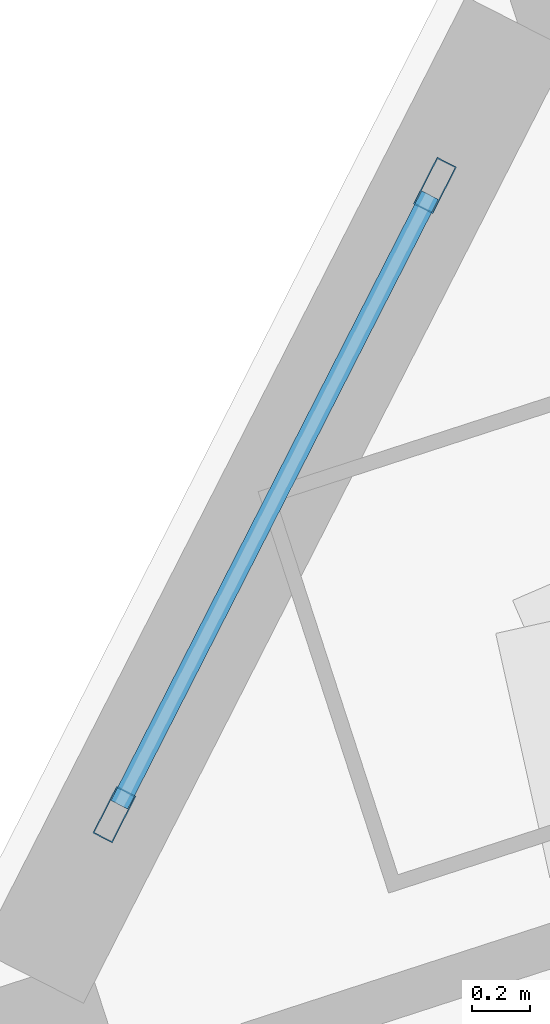
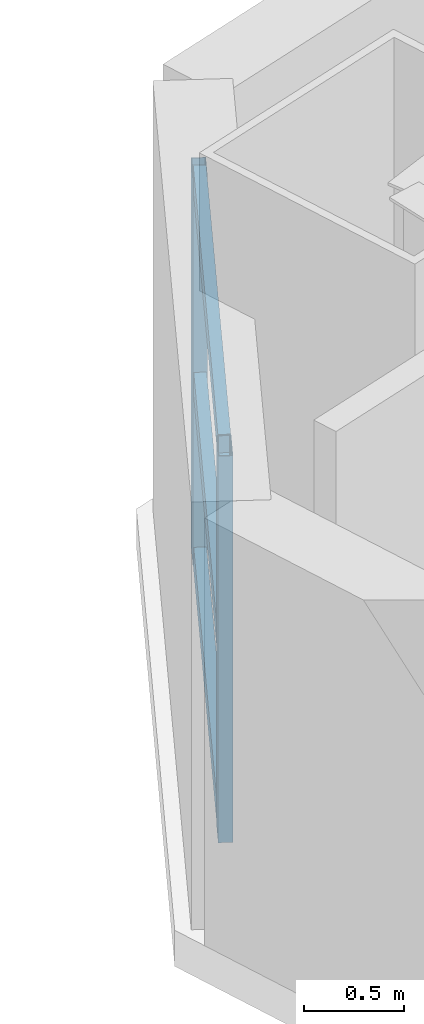
# One storey, part 7 of 24: 5 members, 1 element without a shape of its own.
"""IFC4 building model written with IfcOpenShell, lengths in metres."""

from ifc_helpers import new_model, si_unit, direction, frame, origin, origin_2d, place, context, subcontext, project, spatial, hollow_rectangle, extrude, material, layer, layer_set, material_profile, profile_set, type_object, element, aggregate, save


model = new_model("IFC4")

# Units and contexts
model_context = context("Model", 3, precision=1e-05, world=origin(), true_north=direction((0.0, 1.0)))
body_context = subcontext(model_context, "Body", "Model", "MODEL_VIEW")
ifc_project = project(units=[si_unit("LENGTHUNIT", "METRE"), si_unit("AREAUNIT", "SQUARE_METRE"), si_unit("VOLUMEUNIT", "CUBIC_METRE"), si_unit("PLANEANGLEUNIT", "RADIAN"), si_unit("MASSUNIT", "GRAM", prefix="KILO")], contexts=[model_context])

# Site, building, storey
site_placement = place(None, origin())
site = spatial("IfcSite", under=ifc_project, at=site_placement, CompositionType="ELEMENT")
building_placement = place(site_placement, origin())
building = spatial("IfcBuilding", under=site, at=building_placement, Name="Qiaolan Cultural Towers", CompositionType="ELEMENT")
storey_placement = place(building_placement, frame((0.0, 0.0, 120.75)))
storey = spatial("IfcBuildingStorey", under=building, at=storey_placement, Name="L31", CompositionType="ELEMENT", Elevation=120.75)

# Curtain wall, members
ifc_material_1 = material(Name="Unitized Anodized Aluminium Curtain Wall System", Category="aluminium")
ifc_layer = layer(ifc_material_1, 0.199951171875)
ifc_layer_set = layer_set([ifc_layer], Name="Unitized Anodized Aluminium Curtain Wall System")
curtain_wall_type = type_object("IfcCurtainWallType", Name="CWS-03", PredefinedType="NOTDEFINED", material=ifc_layer_set)
curtain_wall_placement = place(storey_placement, origin())
curtain_wall = element("IfcCurtainWall", 1, at=curtain_wall_placement, inside=storey, type_object=curtain_wall_type, Name="L31 T2 Chamfer Wind-Corner Feature Curtain Wall 1", PredefinedType="NOTDEFINED")
ifc_material_2 = material(Name="Extruded Aluminium 6063-T6", Category="aluminium")
ifc_material_profile_1 = material_profile(ifc_material_2, hollow_rectangle(XDim=0.074951171875, YDim=0.179931640625, WallThickness=0.00390625, at=origin_2d()), Name="CWM-180x75x4")
ifc_profile_set_1 = profile_set([ifc_material_profile_1], Name="Extruded Aluminium 6063-T6")
member_type_1 = type_object("IfcMemberType", Name="CWS-03-MUL", PredefinedType="MULLION", material=ifc_profile_set_1)
member_1_placement = place(storey_placement, frame((66.66162109375, 51.276123046875, 0.14990234375), z_axis=(0.0, 0.0, 1.0), x_axis=(-0.891006262447, 0.453991013436, 0.0)))
member_1 = element("IfcMember", 2, at=member_1_placement, type_object=member_type_1, Name="CW-3 mullion 1", PredefinedType="MULLION", context=body_context, shape_type="SweptSolid", body=[
    extrude(hollow_rectangle(XDim=0.074951171875, YDim=0.179931640625, WallThickness=0.00390625, at=origin_2d()), origin(), (0.0, 0.0, 1.0), 2.360107421875),
])
member_2_placement = place(storey_placement, frame((67.7626953125, 53.43701171875, 0.14990234375), z_axis=(0.0, 0.0, 1.0), x_axis=(-0.891006262447, 0.453991013436, 0.0)))
member_2 = element("IfcMember", 3, at=member_2_placement, type_object=member_type_1, Name="CW-3 mullion 2", PredefinedType="MULLION", context=body_context, shape_type="SweptSolid", body=[
    extrude(hollow_rectangle(XDim=0.074951171875, YDim=0.179931640625, WallThickness=0.00390625, at=origin_2d()), origin(), (0.0, 0.0, 1.0), 2.360107421875),
])
ifc_material_3 = material(Name="Extruded Aluminium 6063-T6", Category="aluminium")
ifc_material_profile_2 = material_profile(ifc_material_3, hollow_rectangle(XDim=0.06494140625, YDim=0.14990234375, WallThickness=0.00390625, at=origin_2d()), Name="CWT-150x65x4")
ifc_profile_set_2 = profile_set([ifc_material_profile_2], Name="Extruded Aluminium 6063-T6")
member_type_2 = type_object("IfcMemberType", Name="CWS-03-TRN", PredefinedType="USERDEFINED", material=ifc_profile_set_2)
member_3_placement = place(storey_placement, frame((66.6787109375, 51.3095703125, 0.1826171875), z_axis=(0.453932005663, 0.89103632599, 0.0), x_axis=(-0.89103632599, 0.453932005663, 0.0)))
member_3 = element("IfcMember", 4, at=member_3_placement, type_object=member_type_2, Name="CW-3 transom 1.1", ObjectType="TRANSOM", PredefinedType="USERDEFINED", context=body_context, shape_type="SweptSolid", body=[
    extrude(hollow_rectangle(XDim=0.06494140625, YDim=0.14990234375, WallThickness=0.00390625, at=origin_2d()), origin(), (0.0, 0.0, 1.0), 2.350341796875),
])
member_4_placement = place(storey_placement, frame((66.6787109375, 51.3095703125, 1.25), z_axis=(0.453932005663, 0.89103632599, 0.0), x_axis=(-0.89103632599, 0.453932005663, 0.0)))
member_4 = element("IfcMember", 5, at=member_4_placement, type_object=member_type_2, Name="CW-3 transom 1.2", ObjectType="TRANSOM", PredefinedType="USERDEFINED", context=body_context, shape_type="SweptSolid", body=[
    extrude(hollow_rectangle(XDim=0.06494140625, YDim=0.14990234375, WallThickness=0.00390625, at=origin_2d()), origin(), (0.0, 0.0, 1.0), 2.350341796875),
])
member_5_placement = place(storey_placement, frame((66.6787109375, 51.3095703125, 2.4775390625), z_axis=(0.453932005663, 0.89103632599, 0.0), x_axis=(-0.89103632599, 0.453932005663, 0.0)))
member_5 = element("IfcMember", 6, at=member_5_placement, type_object=member_type_2, Name="CW-3 transom 1.3", ObjectType="TRANSOM", PredefinedType="USERDEFINED", context=body_context, shape_type="SweptSolid", body=[
    extrude(hollow_rectangle(XDim=0.06494140625, YDim=0.14990234375, WallThickness=0.00390625, at=origin_2d()), origin(), (0.0, 0.0, 1.0), 2.350341796875),
])
aggregate(curtain_wall, [member_1, member_2, member_3, member_4, member_5])

save(model, "model.ifc")
